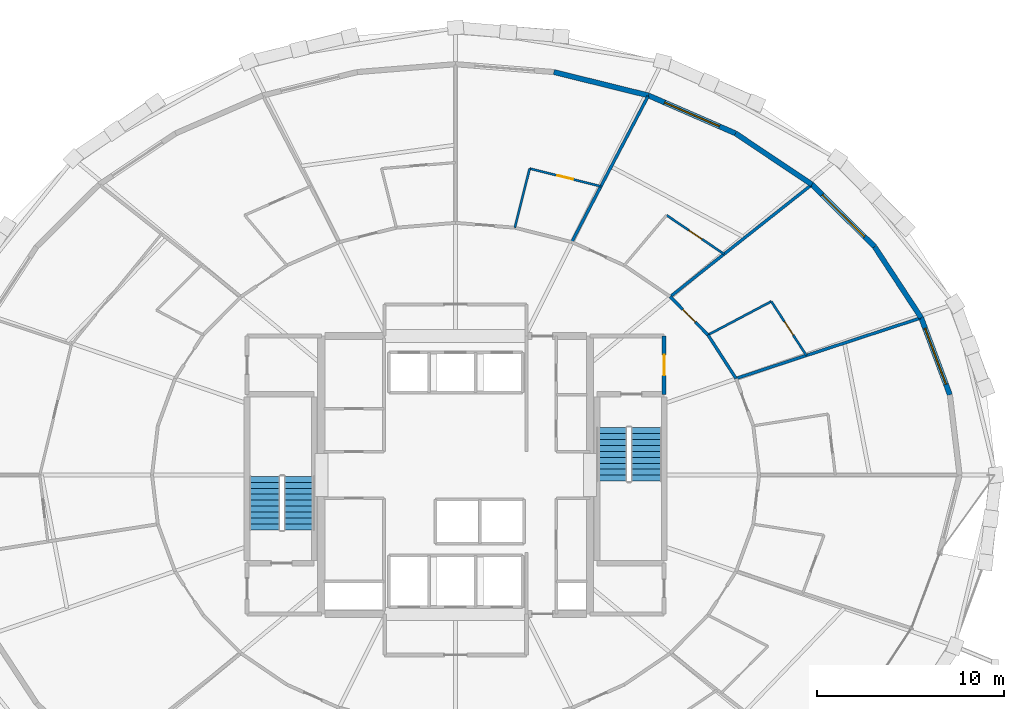
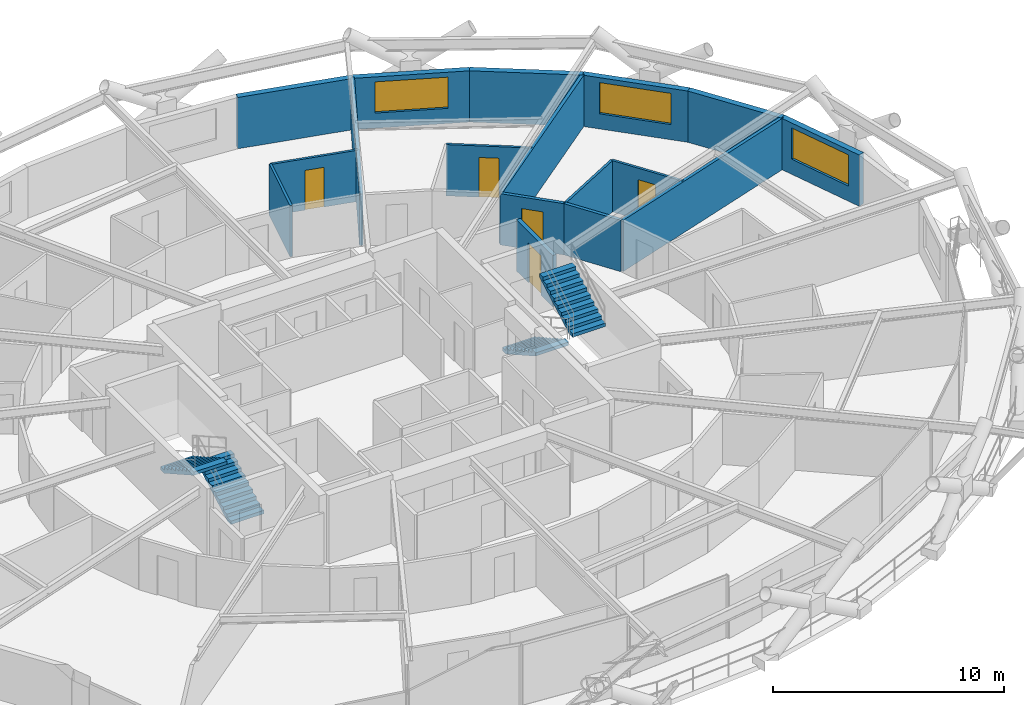
# One storey, part 17 of 20: 17 walls, 5 doors, 4 stair flights, 3 windows, 8 openings, 2 elements without a shape of their own.
"""IFC4 building model written with IfcOpenShell, lengths in metres."""

from ifc_helpers import new_model, si_unit, direction, frame, frame_2d, origin, place, context, subcontext, project, spatial, polyline, rectangle, outline, extrude, material, layer, layer_set, type_object, element, fill, aggregate, save


model = new_model("IFC4")

# Units and contexts
model_context = context("Model", 3, precision=1e-05, world=origin(), true_north=direction((0.0, 1.0)))
body_context = subcontext(model_context, "Body", "Model", "MODEL_VIEW")
ifc_project = project(units=[si_unit("LENGTHUNIT", "METRE"), si_unit("AREAUNIT", "SQUARE_METRE"), si_unit("VOLUMEUNIT", "CUBIC_METRE"), si_unit("PLANEANGLEUNIT", "RADIAN"), si_unit("MASSUNIT", "GRAM", prefix="KILO")], contexts=[model_context])

# Site, building, storey
site_placement = place(None, origin())
site = spatial("IfcSite", under=ifc_project, at=site_placement, CompositionType="ELEMENT")
building_placement = place(site_placement, origin())
building = spatial("IfcBuilding", under=site, at=building_placement, Name="Veldorina Hangang Commons", CompositionType="ELEMENT")
storey_placement = place(building_placement, frame((0.0, 0.0, 84.39990234375)))
storey = spatial("IfcBuildingStorey", under=building, at=storey_placement, Name="L21", CompositionType="ELEMENT", Elevation=84.39990234375)

# Wall, opening, window
ifc_material_1 = material(Name="Stone Roman Travertine", Category="masonry")
ifc_layer_1 = layer(ifc_material_1, 0.280029296875)
ifc_layer_set_1 = layer_set([ifc_layer_1], Name="Stone Roman Travertine")
wall_type_1 = type_object("IfcWallType", Name="EW-TRAV-280", PredefinedType="STANDARD", material=ifc_layer_set_1)
wall_1_placement = place(storey_placement, frame((58.499755859375, 28.296875, 0.0), z_axis=(0.0, 0.0, 1.0), x_axis=(-0.348719005739, 0.937227323031, 0.0)))
wall_1 = element("IfcWall", 1, at=wall_1_placement, inside=storey, type_object=wall_type_1, Name="L21 travertine facade wall 01", PredefinedType="STANDARD", context=body_context, shape_type="SweptSolid", body=[
    extrude(rectangle(XDim=4.40869140625, YDim=0.280029296875, at=frame_2d((2.204345703125, 0.0))), origin(), (0.0, 0.0, 1.0), 2.710205078125),
])
opening_1_placement = place(wall_1_placement, frame((0.604248046875, 0.0, 0.800048828125)))
opening_1 = element("IfcOpeningElement", 2, at=opening_1_placement, cuts=wall_1, Name="Opening W-01", PredefinedType="OPENING", context=body_context, shape_type="SweptSolid", body=[
    extrude(rectangle(XDim=3.199951171875, YDim=1.64990234375, at=frame_2d((1.60009765625, 0.824951171875))), frame((0.0, 0.14990234375, 0.0), z_axis=(0.0, -1.0, 0.0), x_axis=(1.0, 0.0, 0.0)), (0.0, 0.0, 1.0), 0.300048828125),
])
ifc_material_2 = material(Name="Glass Low-E Triple IGU", Category="glass")
window_type = type_object("IfcWindowType", Name="WIN-TWR-3200", PartitioningType="SINGLE_PANEL", PredefinedType="WINDOW", material=ifc_material_2)
window_1_placement = place(opening_1_placement, origin())
window_1 = element("IfcWindow", 3, at=window_1_placement, inside=storey, type_object=window_type, Name="L21 facade window 01", OverallHeight=1.64990234375, OverallWidth=3.199951171875, PartitioningType="SINGLE_PANEL", PredefinedType="WINDOW", context=body_context, shape_type="SweptSolid", body=[
    extrude(rectangle(XDim=3.199951171875, YDim=1.64990234375, at=frame_2d((1.60009765625, 0.824951171875))), frame((0.0, 0.030029296875, 0.0), z_axis=(0.0, -1.0, 0.0), x_axis=(1.0, 0.0, 0.0)), (0.0, 0.0, 1.0), 0.06005859375),
])
fill(opening_1, window_1)

# Wall
wall_2_placement = place(storey_placement, frame((56.96240234375, 32.4287109375, 0.0), z_axis=(0.0, 0.0, 1.0), x_axis=(-0.548336678248, 0.836257668, 0.0)))
element("IfcWall", 4, at=wall_2_placement, inside=storey, type_object=wall_type_1, Name="L21 travertine facade wall 02", PredefinedType="STANDARD", context=body_context, shape_type="SweptSolid", body=[
    extrude(rectangle(XDim=4.553466796875, YDim=0.280029296875, at=frame_2d((2.27685546875, 0.0))), origin(), (0.0, 0.0, 1.0), 2.710205078125),
])

# Wall, opening, window
wall_3_placement = place(storey_placement, frame((54.465576171875, 36.236572265625, 0.0), z_axis=(0.0, 0.0, 1.0), x_axis=(-0.709499676925, 0.704705760189, 0.0)))
wall_3 = element("IfcWall", 5, at=wall_3_placement, inside=storey, type_object=wall_type_1, Name="L21 travertine facade wall 03", PredefinedType="STANDARD", context=body_context, shape_type="SweptSolid", body=[
    extrude(rectangle(XDim=4.736328125, YDim=0.280029296875, at=frame_2d((2.3681640625, 0.0))), origin(), (0.0, 0.0, 1.0), 2.710205078125),
])
opening_2_placement = place(wall_3_placement, frame((0.76806640625, 0.0, 0.800048828125)))
opening_2 = element("IfcOpeningElement", 6, at=opening_2_placement, cuts=wall_3, Name="Opening W-01", PredefinedType="OPENING", context=body_context, shape_type="SweptSolid", body=[
    extrude(rectangle(XDim=3.199951171875, YDim=1.64990234375, at=frame_2d((1.60009765625, 0.824951171875))), frame((0.0, 0.14990234375, 0.0), z_axis=(0.0, -1.0, 0.0), x_axis=(1.0, 0.0, 0.0)), (0.0, 0.0, 1.0), 0.300048828125),
])
window_2_placement = place(opening_2_placement, origin())
window_2 = element("IfcWindow", 7, at=window_2_placement, inside=storey, type_object=window_type, Name="L21 facade window 03", OverallHeight=1.64990234375, OverallWidth=3.199951171875, PartitioningType="SINGLE_PANEL", PredefinedType="WINDOW", context=body_context, shape_type="SweptSolid", body=[
    extrude(rectangle(XDim=3.199951171875, YDim=1.64990234375, at=frame_2d((1.60009765625, 0.824951171875))), frame((0.0, 0.030029296875, 0.0), z_axis=(0.0, -1.0, 0.0), x_axis=(1.0, 0.0, 0.0)), (0.0, 0.0, 1.0), 0.06005859375),
])
fill(opening_2, window_2)

# Wall
wall_4_placement = place(storey_placement, frame((51.105224609375, 39.57421875, 0.0), z_axis=(0.0, 0.0, 1.0), x_axis=(-0.831134194268, 0.55607189384, 0.0)))
element("IfcWall", 8, at=wall_4_placement, inside=storey, type_object=wall_type_1, Name="L21 travertine facade wall 04", PredefinedType="STANDARD", context=body_context, shape_type="SweptSolid", body=[
    extrude(rectangle(XDim=4.926025390625, YDim=0.280029296875, at=frame_2d((2.462890625, 0.0))), origin(), (0.0, 0.0, 1.0), 2.710205078125),
])

# Wall, opening, window
wall_5_placement = place(storey_placement, frame((47.010986328125, 42.3134765625, 0.0), z_axis=(0.0, 0.0, 1.0), x_axis=(-0.916774249717, 0.399405777445, 0.0)))
wall_5 = element("IfcWall", 9, at=wall_5_placement, inside=storey, type_object=wall_type_1, Name="L21 travertine facade wall 05", PredefinedType="STANDARD", context=body_context, shape_type="SweptSolid", body=[
    extrude(rectangle(XDim=5.095458984375, YDim=0.280029296875, at=frame_2d((2.5478515625, 0.0))), origin(), (0.0, 0.0, 1.0), 2.710205078125),
])
opening_3_placement = place(wall_5_placement, frame((0.94775390625, 0.0, 0.800048828125)))
opening_3 = element("IfcOpeningElement", 10, at=opening_3_placement, cuts=wall_5, Name="Opening W-01", PredefinedType="OPENING", context=body_context, shape_type="SweptSolid", body=[
    extrude(rectangle(XDim=3.199951171875, YDim=1.64990234375, at=frame_2d((1.60009765625, 0.824951171875))), frame((0.0, 0.14990234375, 0.0), z_axis=(0.0, -1.0, 0.0), x_axis=(1.0, 0.0, 0.0)), (0.0, 0.0, 1.0), 0.300048828125),
])
window_3_placement = place(opening_3_placement, origin())
window_3 = element("IfcWindow", 11, at=window_3_placement, inside=storey, type_object=window_type, Name="L21 facade window 05", OverallHeight=1.64990234375, OverallWidth=3.199951171875, PartitioningType="SINGLE_PANEL", PredefinedType="WINDOW", context=body_context, shape_type="SweptSolid", body=[
    extrude(rectangle(XDim=3.199951171875, YDim=1.64990234375, at=frame_2d((1.60009765625, 0.824951171875))), frame((0.0, 0.030029296875, 0.0), z_axis=(0.0, -1.0, 0.0), x_axis=(1.0, 0.0, 0.0)), (0.0, 0.0, 1.0), 0.06005859375),
])
fill(opening_3, window_3)

# Walls
wall_6_placement = place(storey_placement, frame((42.339599609375, 44.3486328125, 0.0), z_axis=(0.0, 0.0, 1.0), x_axis=(-0.970758207565, 0.240059372749, 0.0)))
element("IfcWall", 12, at=wall_6_placement, inside=storey, type_object=wall_type_1, Name="L21 travertine facade wall 06", PredefinedType="STANDARD", context=body_context, shape_type="SweptSolid", body=[
    extrude(rectangle(XDim=5.22119140625, YDim=0.280029296875, at=frame_2d((2.610595703125, 0.0))), origin(), (0.0, 0.0, 1.0), 2.710205078125),
])
ifc_material_3 = material(Name="Gypsum Fire-Rated Twin Stud Wall", Category="gypsum")
ifc_layer_2 = layer(ifc_material_3, 0.159912109375)
ifc_layer_set_2 = layer_set([ifc_layer_2], Name="Gypsum Fire-Rated Twin Stud Wall")
wall_type_2 = type_object("IfcWallType", Name="WL-FIRE-160", PredefinedType="SOLIDWALL", material=ifc_layer_set_2)
wall_7_placement = place(storey_placement, frame((47.03515625, 29.173095703125, 0.0), z_axis=(0.0, 0.0, 1.0), x_axis=(-0.541126045017, 0.840941498206, 0.0)))
element("IfcWall", 13, at=wall_7_placement, inside=storey, type_object=wall_type_2, Name="L21 Corridor outer wall 02 049", PredefinedType="SOLIDWALL", context=body_context, shape_type="SweptSolid", body=[
    extrude(rectangle(XDim=2.779296875, YDim=0.159912109375, at=frame_2d((1.3896484375, 0.0))), origin(), (0.0, 0.0, 1.0), 2.710205078125),
])

# Wall, opening, door
wall_8_placement = place(storey_placement, frame((45.53125, 31.51025390625, 0.0), z_axis=(0.0, 0.0, 1.0), x_axis=(-0.702811997, 0.711375636969, 0.0)))
wall_8 = element("IfcWall", 14, at=wall_8_placement, inside=storey, type_object=wall_type_2, Name="L21 Corridor outer wall 03 050", PredefinedType="SOLIDWALL", context=body_context, shape_type="SweptSolid", body=[
    extrude(rectangle(XDim=2.87939453125, YDim=0.159912109375, at=frame_2d((1.439697265625, 0.0))), origin(), (0.0, 0.0, 1.0), 2.710205078125),
])
opening_4_placement = place(wall_8_placement, frame((0.96484375, 0.0, 0.0)))
opening_4 = element("IfcOpeningElement", 15, at=opening_4_placement, cuts=wall_8, Name="Opening D-03", PredefinedType="OPENING", context=body_context, shape_type="SweptSolid", body=[
    extrude(rectangle(XDim=0.949951171875, YDim=2.10009765625, at=frame_2d((0.47509765625, 1.050048828125))), frame((0.0, 0.08984375, 0.0), z_axis=(0.0, -1.0, 0.0), x_axis=(1.0, 0.0, 0.0)), (0.0, 0.0, 1.0), 0.179931640625),
])
ifc_material_4 = material(Name="Timber Fire-Rated Entrance Core", Category="wood")
door_type_1 = type_object("IfcDoorType", Name="DR-UNIT-950", OperationType="SINGLE_SWING_RIGHT", PredefinedType="DOOR", material=ifc_material_4)
door_1_placement = place(opening_4_placement, origin())
door_1 = element("IfcDoor", 16, at=door_1_placement, inside=storey, type_object=door_type_1, Name="L21 Studio 5 entrance door 028", OperationType="SINGLE_SWING_RIGHT", OverallHeight=2.10009765625, OverallWidth=0.949951171875, PredefinedType="DOOR", context=body_context, shape_type="SweptSolid", body=[
    extrude(rectangle(XDim=0.949951171875, YDim=2.10009765625, at=frame_2d((0.47509765625, 1.050048828125))), frame((0.0, 0.02490234375, 0.0), z_axis=(0.0, -1.0, 0.0), x_axis=(1.0, 0.0, 0.0)), (0.0, 0.0, 1.0), 0.050048828125),
])
fill(opening_4, door_1)

# Walls
wall_9_placement = place(storey_placement, frame((47.03515625, 29.173095703125, 0.0), z_axis=(0.0, 0.0, 1.0), x_axis=(0.95020777267, 0.311617054664, 0.0)))
element("IfcWall", 17, at=wall_9_placement, inside=storey, type_object=wall_type_2, Name="L21 Unit party wall 02 093", PredefinedType="SOLIDWALL", context=body_context, shape_type="SweptSolid", body=[
    extrude(rectangle(XDim=10.3974609375, YDim=0.159912109375, at=frame_2d((5.19873046875, 0.0))), origin(), (0.0, 0.0, 1.0), 2.710205078125),
])
wall_10_placement = place(storey_placement, frame((43.507568359375, 33.55859375, 0.0), z_axis=(0.0, 0.0, 1.0), x_axis=(0.784008851618, 0.620749644047, 0.0)))
element("IfcWall", 18, at=wall_10_placement, inside=storey, type_object=wall_type_2, Name="L21 Unit party wall 04 096", PredefinedType="SOLIDWALL", context=body_context, shape_type="SweptSolid", body=[
    extrude(rectangle(XDim=9.640869140625, YDim=0.159912109375, at=frame_2d((4.8203125, 0.0))), origin(), (0.0, 0.0, 1.0), 2.710205078125),
])
wall_11_placement = place(storey_placement, frame((38.227783203125, 36.489013671875, 0.0), z_axis=(0.0, 0.0, 1.0), x_axis=(0.463546676058, 0.886072502178, 0.0)))
element("IfcWall", 19, at=wall_11_placement, inside=storey, type_object=wall_type_2, Name="L21 Unit party wall 06 099", PredefinedType="SOLIDWALL", context=body_context, shape_type="SweptSolid", body=[
    extrude(rectangle(XDim=8.8203125, YDim=0.159912109375, at=frame_2d((4.41015625, 0.0))), origin(), (0.0, 0.0, 1.0), 2.710205078125),
])

# Wall, opening, door
ifc_material_5 = material(Name="Concrete Blockwork Fire Wall C30/37", Category="masonry")
ifc_layer_3 = layer(ifc_material_5, 0.199951171875)
ifc_layer_set_3 = layer_set([ifc_layer_3], Name="Concrete Blockwork Fire Wall C30/37")
wall_type_3 = type_object("IfcWallType", Name="WL-FIRE-200", PredefinedType="SOLIDWALL", material=ifc_layer_set_3)
wall_12_placement = place(storey_placement, frame((43.179931640625, 28.320068359375, 0.0), z_axis=(0.0, 0.0, 1.0), x_axis=(0.0, 1.0, 0.0)))
wall_12 = element("IfcWall", 20, at=wall_12_placement, inside=storey, type_object=wall_type_3, Name="L21 East vestibule outer wall 003", PredefinedType="SOLIDWALL", context=body_context, shape_type="SweptSolid", body=[
    extrude(rectangle(XDim=3.1298828125, YDim=0.199951171875, at=frame_2d((1.56494140625, 0.0))), origin(), (0.0, 0.0, 1.0), 2.710205078125),
])
opening_5_placement = place(wall_12_placement, frame((1.014892578125, 0.0, 0.0)))
opening_5 = element("IfcOpeningElement", 21, at=opening_5_placement, cuts=wall_12, Name="Opening D-08", PredefinedType="OPENING", context=body_context, shape_type="SweptSolid", body=[
    extrude(rectangle(XDim=1.10009765625, YDim=2.10009765625, at=frame_2d((0.550048828125, 1.050048828125))), frame((0.0, 0.10986328125, 0.0), z_axis=(0.0, -1.0, 0.0), x_axis=(1.0, 0.0, 0.0)), (0.0, 0.0, 1.0), 0.219970703125),
])
ifc_material_6 = material(Name="Steel Fire-Rated Smoke Seal", Category="steel")
door_type_2 = type_object("IfcDoorType", Name="DR-FIRE-1100", OperationType="SINGLE_SWING_RIGHT", PredefinedType="DOOR", material=ifc_material_6)
door_2_placement = place(opening_5_placement, origin())
door_2 = element("IfcDoor", 22, at=door_2_placement, inside=storey, type_object=door_type_2, Name="L21 East vestibule east door 002", OperationType="SINGLE_SWING_RIGHT", OverallHeight=2.10009765625, OverallWidth=1.10009765625, PredefinedType="DOOR", context=body_context, shape_type="SweptSolid", body=[
    extrude(rectangle(XDim=1.10009765625, YDim=2.10009765625, at=frame_2d((0.550048828125, 1.050048828125))), frame((0.0, 0.02490234375, 0.0), z_axis=(0.0, -1.0, 0.0), x_axis=(1.0, 0.0, 0.0)), (0.0, 0.0, 1.0), 0.050048828125),
])
fill(opening_5, door_2)

ifc_material_7 = material(Name="Gypsum Acoustic Stud Partition", Category="gypsum")
ifc_layer_4 = layer(ifc_material_7, 0.1201171875)
ifc_layer_set_4 = layer_set([ifc_layer_4], Name="Gypsum Acoustic Stud Partition")
wall_type_4 = type_object("IfcWallType", Name="WL-PART-120", PredefinedType="PARTITIONING", material=ifc_layer_set_4)
wall_13_placement = place(storey_placement, frame((50.8076171875, 30.41015625, 0.0), z_axis=(0.0, 0.0, 1.0), x_axis=(-0.544774633125, 0.838582493917, 0.0)))
wall_13 = element("IfcWall", 23, at=wall_13_placement, inside=storey, type_object=wall_type_4, Name="L21 Studio 5 bath front wall 094", PredefinedType="PARTITIONING", context=body_context, shape_type="SweptSolid", body=[
    extrude(rectangle(XDim=3.453369140625, YDim=0.1201171875, at=frame_2d((1.7265625, 0.0))), origin(), (0.0, 0.0, 1.0), 2.710205078125),
])
opening_6_placement = place(wall_13_placement, frame((1.296630859375, 0.0, 0.0)))
opening_6 = element("IfcOpeningElement", 24, at=opening_6_placement, cuts=wall_13, Name="Opening D-01", PredefinedType="OPENING", context=body_context, shape_type="SweptSolid", body=[
    extrude(rectangle(XDim=0.860107421875, YDim=2.10009765625, at=frame_2d((0.43017578125, 1.050048828125))), frame((0.0, 0.070068359375, 0.0), z_axis=(0.0, -1.0, 0.0), x_axis=(1.0, 0.0, 0.0)), (0.0, 0.0, 1.0), 0.14013671875),
])
ifc_material_8 = material(Name="Timber Moisture-Resistant Core", Category="wood")
door_type_3 = type_object("IfcDoorType", Name="DR-WET-860", OperationType="SINGLE_SWING_LEFT", PredefinedType="DOOR", material=ifc_material_8)
door_3_placement = place(opening_6_placement, origin())
door_3 = element("IfcDoor", 25, at=door_3_placement, inside=storey, type_object=door_type_3, Name="L21 Studio 5 bathroom door 027", OperationType="SINGLE_SWING_LEFT", OverallHeight=2.10009765625, OverallWidth=0.860107421875, PredefinedType="DOOR", context=body_context, shape_type="SweptSolid", body=[
    extrude(rectangle(XDim=0.860107421875, YDim=2.10009765625, at=frame_2d((0.43017578125, 1.050048828125))), frame((0.0, 0.02490234375, 0.0), z_axis=(0.0, -1.0, 0.0), x_axis=(1.0, 0.0, 0.0)), (0.0, 0.0, 1.0), 0.050048828125),
])
fill(opening_6, door_3)

# Wall
wall_14_placement = place(storey_placement, frame((45.53125, 31.51025390625, 0.0), z_axis=(0.0, 0.0, 1.0), x_axis=(0.883945577966, 0.467589793723, 0.0)))
element("IfcWall", 26, at=wall_14_placement, inside=storey, type_object=wall_type_4, Name="L21 Studio 5 bath side wall 095", PredefinedType="PARTITIONING", context=body_context, shape_type="SweptSolid", body=[
    extrude(rectangle(XDim=3.8408203125, YDim=0.1201171875, at=frame_2d((1.92041015625, 0.0))), origin(), (0.0, 0.0, 1.0), 2.710205078125),
])

# Wall, opening, door
wall_15_placement = place(storey_placement, frame((46.394775390625, 35.844482421875, 0.0), z_axis=(0.0, 0.0, 1.0), x_axis=(-0.82873612878, 0.559639552618, 0.0)))
wall_15 = element("IfcWall", 27, at=wall_15_placement, inside=storey, type_object=wall_type_4, Name="L21 Studio 6 bath front wall 097", PredefinedType="PARTITIONING", context=body_context, shape_type="SweptSolid", body=[
    extrude(rectangle(XDim=3.722412109375, YDim=0.1201171875, at=frame_2d((1.861328125, 0.0))), origin(), (0.0, 0.0, 1.0), 2.710205078125),
])
opening_7_placement = place(wall_15_placement, frame((1.43115234375, 0.0, 0.0)))
opening_7 = element("IfcOpeningElement", 28, at=opening_7_placement, cuts=wall_15, Name="Opening D-01", PredefinedType="OPENING", context=body_context, shape_type="SweptSolid", body=[
    extrude(rectangle(XDim=0.860107421875, YDim=2.10009765625, at=frame_2d((0.43017578125, 1.050048828125))), frame((0.0, 0.070068359375, 0.0), z_axis=(0.0, -1.0, 0.0), x_axis=(1.0, 0.0, 0.0)), (0.0, 0.0, 1.0), 0.14013671875),
])
door_4_placement = place(opening_7_placement, origin())
door_4 = element("IfcDoor", 29, at=door_4_placement, inside=storey, type_object=door_type_3, Name="L21 Studio 6 bathroom door 029", OperationType="SINGLE_SWING_LEFT", OverallHeight=2.10009765625, OverallWidth=0.860107421875, PredefinedType="DOOR", context=body_context, shape_type="SweptSolid", body=[
    extrude(rectangle(XDim=0.860107421875, YDim=2.10009765625, at=frame_2d((0.43017578125, 1.050048828125))), frame((0.0, 0.02490234375, 0.0), z_axis=(0.0, -1.0, 0.0), x_axis=(1.0, 0.0, 0.0)), (0.0, 0.0, 1.0), 0.050048828125),
])
fill(opening_7, door_4)

wall_16_placement = place(storey_placement, frame((39.790283203125, 39.4755859375, 0.0), z_axis=(0.0, 0.0, 1.0), x_axis=(-0.970222716949, 0.242214532009, 0.0)))
wall_16 = element("IfcWall", 30, at=wall_16_placement, inside=storey, type_object=wall_type_4, Name="L21 Studio 7 bath front wall 100", PredefinedType="PARTITIONING", context=body_context, shape_type="SweptSolid", body=[
    extrude(rectangle(XDim=3.93603515625, YDim=0.1201171875, at=frame_2d((1.968017578125, 0.0))), origin(), (0.0, 0.0, 1.0), 2.710205078125),
])
opening_8_placement = place(wall_16_placement, frame((1.5380859375, 0.0, 0.0)))
opening_8 = element("IfcOpeningElement", 31, at=opening_8_placement, cuts=wall_16, Name="Opening D-01", PredefinedType="OPENING", context=body_context, shape_type="SweptSolid", body=[
    extrude(rectangle(XDim=0.860107421875, YDim=2.10009765625, at=frame_2d((0.43017578125, 1.050048828125))), frame((0.0, 0.070068359375, 0.0), z_axis=(0.0, -1.0, 0.0), x_axis=(1.0, 0.0, 0.0)), (0.0, 0.0, 1.0), 0.14013671875),
])
door_5_placement = place(opening_8_placement, origin())
door_5 = element("IfcDoor", 32, at=door_5_placement, inside=storey, type_object=door_type_3, Name="L21 Studio 7 bathroom door 031", OperationType="SINGLE_SWING_LEFT", OverallHeight=2.10009765625, OverallWidth=0.860107421875, PredefinedType="DOOR", context=body_context, shape_type="SweptSolid", body=[
    extrude(rectangle(XDim=0.860107421875, YDim=2.10009765625, at=frame_2d((0.43017578125, 1.050048828125))), frame((0.0, 0.02490234375, 0.0), z_axis=(0.0, -1.0, 0.0), x_axis=(1.0, 0.0, 0.0)), (0.0, 0.0, 1.0), 0.050048828125),
])
fill(opening_8, door_5)

# Wall
wall_17_placement = place(storey_placement, frame((35.1748046875, 37.25830078125, 0.0), z_axis=(0.0, 0.0, 1.0), x_axis=(0.243677606505, 0.969856290431, 0.0)))
element("IfcWall", 33, at=wall_17_placement, inside=storey, type_object=wall_type_4, Name="L21 Studio 7 bath side wall 101", PredefinedType="PARTITIONING", context=body_context, shape_type="SweptSolid", body=[
    extrude(rectangle(XDim=3.269287109375, YDim=0.1201171875, at=frame_2d((1.634765625, 0.0))), origin(), (0.0, 0.0, 1.0), 2.710205078125),
])

# Stair, stair flights
ifc_material_9 = material(Name="Concrete C40/50", Category="concrete")
stair_type = type_object("IfcStairType", Name="STR-DOG-1650-20R", PredefinedType="HALF_TURN_STAIR", material=ifc_material_9)
stair_1_placement = place(storey_placement, origin())
stair_1 = element("IfcStair", 34, at=stair_1_placement, inside=storey, type_object=stair_type, Name="L21 Exit stair ST-1", PredefinedType="HALF_TURN_STAIR")
stair_flight_type = type_object("IfcStairFlightType", Name="SFL-STR-1650-20R", PredefinedType="STRAIGHT", material=ifc_material_9)
stair_flight_1_placement = place(storey_placement, frame((23.625, 21.050048828125, 0.0), z_axis=(0.0, 0.0, 1.0), x_axis=(0.0, 1.0, 0.0)))
stair_flight_1 = element("IfcStairFlight", 35, at=stair_flight_1_placement, type_object=stair_flight_type, Name="ST-1 flight 1", NumberOfRisers=10, NumberOfTreads=9, PredefinedType="STRAIGHT", RiserHeight=0.18, TreadLength=0.32, context=body_context, shape_type="SweptSolid", body=[
    extrude(outline(polyline([(0.0, 0.0), (0.0, 0.179931640625), (0.320068359375, 0.179931640625), (0.320068359375, 0.360107421875), (0.639892578125, 0.360107421875), (0.639892578125, 0.5400390625), (0.9599609375, 0.5400390625), (0.9599609375, 0.719970703125), (1.280029296875, 0.719970703125), (1.280029296875, 0.89990234375), (1.60009765625, 0.89990234375), (1.60009765625, 1.080078125), (1.919921875, 1.080078125), (1.919921875, 1.260009765625), (2.239990234375, 1.260009765625), (2.239990234375, 1.43994140625), (2.56005859375, 1.43994140625), (2.56005859375, 1.6201171875), (2.8798828125, 1.6201171875), (2.8798828125, 1.800048828125), (2.8798828125, 1.447998046875), (0.3056640625, 0.0), (0.0, 0.0)])), frame((0.0, 0.824951171875, 0.0), z_axis=(0.0, -1.0, 0.0), x_axis=(1.0, 0.0, 0.0)), (0.0, 0.0, 1.0), 1.64990234375),
])
stair_flight_2_placement = place(storey_placement, frame((21.77490234375, 23.929931640625, 1.800048828125), z_axis=(0.0, 0.0, 1.0), x_axis=(0.0, -1.0, 0.0)))
stair_flight_2 = element("IfcStairFlight", 36, at=stair_flight_2_placement, type_object=stair_flight_type, Name="ST-1 flight 2", NumberOfRisers=10, NumberOfTreads=9, PredefinedType="STRAIGHT", RiserHeight=0.18, TreadLength=0.32, context=body_context, shape_type="SweptSolid", body=[
    extrude(outline(polyline([(0.0, 0.0), (0.0, 0.179931640625), (0.320068359375, 0.179931640625), (0.320068359375, 0.360107421875), (0.639892578125, 0.360107421875), (0.639892578125, 0.5400390625), (0.9599609375, 0.5400390625), (0.9599609375, 0.719970703125), (1.280029296875, 0.719970703125), (1.280029296875, 0.89990234375), (1.60009765625, 0.89990234375), (1.60009765625, 1.080078125), (1.919921875, 1.080078125), (1.919921875, 1.260009765625), (2.239990234375, 1.260009765625), (2.239990234375, 1.43994140625), (2.56005859375, 1.43994140625), (2.56005859375, 1.6201171875), (2.8798828125, 1.6201171875), (2.8798828125, 1.800048828125), (2.8798828125, 1.447998046875), (0.3056640625, 0.0), (0.0, 0.0)])), frame((0.0, 0.824951171875, 0.0), z_axis=(0.0, -1.0, 0.0), x_axis=(1.0, 0.0, 0.0)), (0.0, 0.0, 1.0), 1.64990234375),
])
aggregate(stair_1, [stair_flight_1, stair_flight_2])

stair_2_placement = place(storey_placement, origin())
stair_2 = element("IfcStair", 37, at=stair_2_placement, inside=storey, type_object=stair_type, Name="L21 Exit stair ST-2", PredefinedType="HALF_TURN_STAIR")
stair_flight_3_placement = place(storey_placement, frame((40.375, 26.550048828125, 0.0), z_axis=(0.0, 0.0, 1.0), x_axis=(0.0, -1.0, 0.0)))
stair_flight_3 = element("IfcStairFlight", 38, at=stair_flight_3_placement, type_object=stair_flight_type, Name="ST-2 flight 1", NumberOfRisers=10, NumberOfTreads=9, PredefinedType="STRAIGHT", RiserHeight=0.18, TreadLength=0.32, context=body_context, shape_type="SweptSolid", body=[
    extrude(outline(polyline([(0.0, 0.0), (0.0, 0.179931640625), (0.320068359375, 0.179931640625), (0.320068359375, 0.360107421875), (0.639892578125, 0.360107421875), (0.639892578125, 0.5400390625), (0.9599609375, 0.5400390625), (0.9599609375, 0.719970703125), (1.280029296875, 0.719970703125), (1.280029296875, 0.89990234375), (1.60009765625, 0.89990234375), (1.60009765625, 1.080078125), (1.919921875, 1.080078125), (1.919921875, 1.260009765625), (2.239990234375, 1.260009765625), (2.239990234375, 1.43994140625), (2.56005859375, 1.43994140625), (2.56005859375, 1.6201171875), (2.8798828125, 1.6201171875), (2.8798828125, 1.800048828125), (2.8798828125, 1.447998046875), (0.3056640625, 0.0), (0.0, 0.0)])), frame((0.0, 0.824951171875, 0.0), z_axis=(0.0, -1.0, 0.0), x_axis=(1.0, 0.0, 0.0)), (0.0, 0.0, 1.0), 1.64990234375),
])
stair_flight_4_placement = place(storey_placement, frame((42.22509765625, 23.669921875, 1.800048828125), z_axis=(0.0, 0.0, 1.0), x_axis=(0.0, 1.0, 0.0)))
stair_flight_4 = element("IfcStairFlight", 39, at=stair_flight_4_placement, type_object=stair_flight_type, Name="ST-2 flight 2", NumberOfRisers=10, NumberOfTreads=9, PredefinedType="STRAIGHT", RiserHeight=0.18, TreadLength=0.32, context=body_context, shape_type="SweptSolid", body=[
    extrude(outline(polyline([(0.0, 0.0), (0.0, 0.179931640625), (0.320068359375, 0.179931640625), (0.320068359375, 0.360107421875), (0.639892578125, 0.360107421875), (0.639892578125, 0.5400390625), (0.9599609375, 0.5400390625), (0.9599609375, 0.719970703125), (1.280029296875, 0.719970703125), (1.280029296875, 0.89990234375), (1.60009765625, 0.89990234375), (1.60009765625, 1.080078125), (1.919921875, 1.080078125), (1.919921875, 1.260009765625), (2.239990234375, 1.260009765625), (2.239990234375, 1.43994140625), (2.56005859375, 1.43994140625), (2.56005859375, 1.6201171875), (2.8798828125, 1.6201171875), (2.8798828125, 1.800048828125), (2.8798828125, 1.447998046875), (0.3056640625, 0.0), (0.0, 0.0)])), frame((0.0, 0.824951171875, 0.0), z_axis=(0.0, -1.0, 0.0), x_axis=(1.0, 0.0, 0.0)), (0.0, 0.0, 1.0), 1.64990234375),
])
aggregate(stair_2, [stair_flight_3, stair_flight_4])

save(model, "model.ifc")
